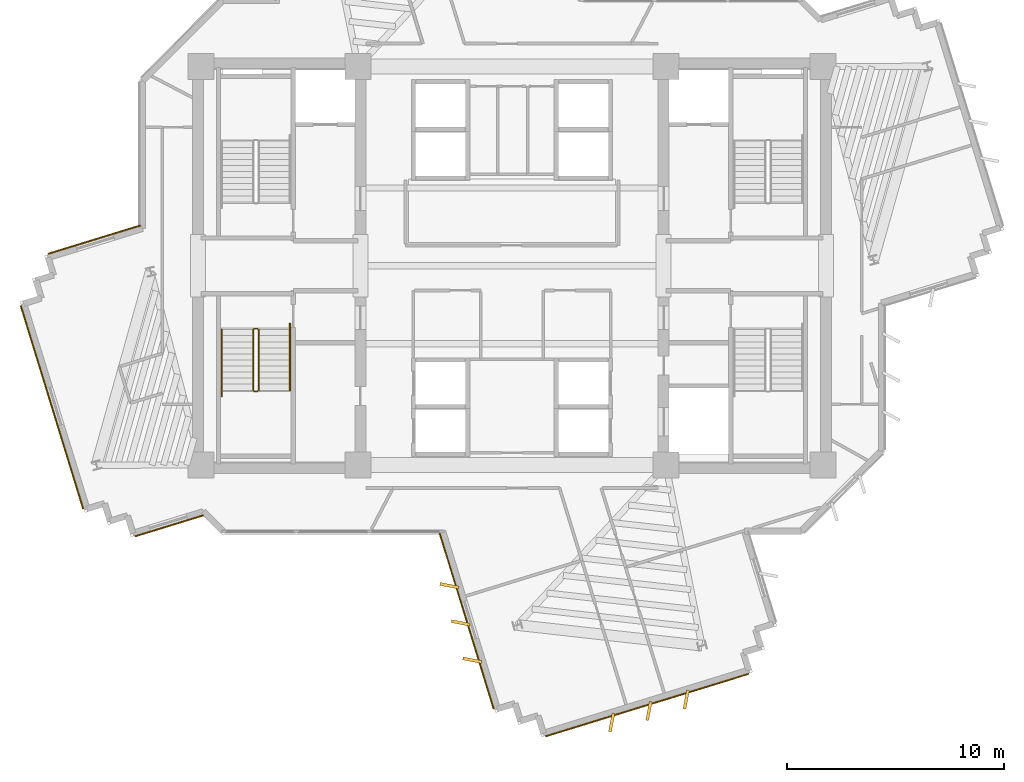
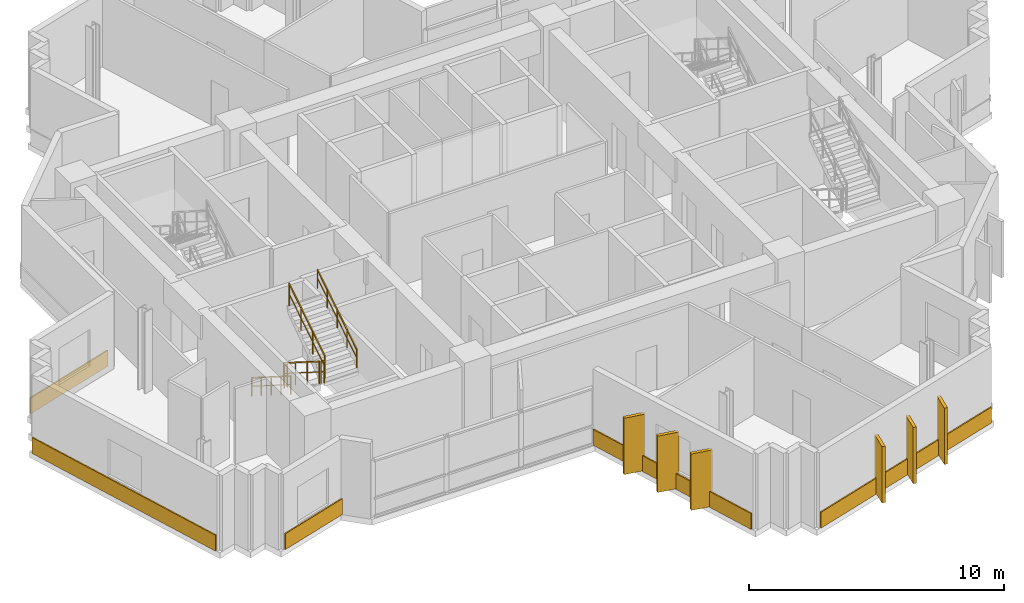
# One storey, part 10 of 13: 11 coverings, 6 railings.
"""IFC4 building model written with IfcOpenShell, lengths in metres."""

from ifc_helpers import new_model, si_unit, direction, frame, origin, origin_2d, place, context, subcontext, project, spatial, rectangle, extrude, source, transform, mapped, material, layer, layer_set, type_object, element, save


model = new_model("IFC4")

# Units and contexts
model_context = context("Model", 3, precision=1e-05, world=origin(), true_north=direction((0.0, 1.0)))
body_context = subcontext(model_context, "Body", "Model", "MODEL_VIEW")
ifc_project = project(units=[si_unit("LENGTHUNIT", "METRE"), si_unit("AREAUNIT", "SQUARE_METRE"), si_unit("VOLUMEUNIT", "CUBIC_METRE"), si_unit("PLANEANGLEUNIT", "RADIAN"), si_unit("MASSUNIT", "GRAM", prefix="KILO")], contexts=[model_context])

# Site, building, storey
site_placement = place(None, origin())
site = spatial("IfcSite", under=ifc_project, at=site_placement, CompositionType="ELEMENT")
building_placement = place(site_placement, origin())
building = spatial("IfcBuilding", under=site, at=building_placement, Name="Zahravan Cultural Tower", CompositionType="ELEMENT")
storey_placement = place(building_placement, frame((0.0, 0.0, 217.5)))
storey = spatial("IfcBuildingStorey", under=building, at=storey_placement, Name="L51", CompositionType="ELEMENT", Elevation=217.5)

# Railings
ifc_material_1 = material(Name="Steel ASTM A572 Grade 50", Category="steel")
railing_type_1 = type_object("IfcRailingType", Name="RL-STAIR-GRD1150", PredefinedType="BALUSTRADE", material=ifc_material_1)
railing_1_placement = place(storey_placement, frame((24.050048828125, 24.050048828125, 0.17724609375)))
element("IfcRailing", 1, at=railing_1_placement, inside=storey, type_object=railing_type_1, Name="L51 ST-W2 stair guard 1", PredefinedType="BALUSTRADE", context=body_context, shape_type="SweptSolid", body=[
    extrude(rectangle(XDim=0.05, YDim=0.05, at=origin_2d()), frame((0.0, 0.0, 1.0751953125), z_axis=(0.0, -0.844908973607, 0.534910110503), x_axis=(1.0, 0.0, 0.0)), (0.0, 0.0, 1.0), 3.31396484375),
    extrude(rectangle(XDim=0.032, YDim=0.032, at=origin_2d()), frame((0.0, 0.0, 0.572021484375), z_axis=(0.0, -0.844908973607, 0.534910110503), x_axis=(1.0, 0.0, 0.0)), (0.0, 0.0, 1.0), 3.31396484375),
    extrude(rectangle(XDim=0.04, YDim=0.04, at=origin_2d()), origin(), (0.0, 0.0, 1.0), 1.10009765625),
    extrude(rectangle(XDim=0.04, YDim=0.04, at=origin_2d()), frame((0.0, -0.933349609375, 0.5908203125)), (0.0, 0.0, 1.0), 1.10009765625),
    extrude(rectangle(XDim=0.04, YDim=0.04, at=origin_2d()), frame((0.0, -1.86669921875, 1.181884765625)), (0.0, 0.0, 1.0), 1.10009765625),
    extrude(rectangle(XDim=0.04, YDim=0.04, at=origin_2d()), frame((0.0, -2.800048828125, 1.772705078125)), (0.0, 0.0, 1.0), 1.10009765625),
])
railing_2_placement = place(storey_placement, frame((24.10009765625, 21.199951171875, 1.949951171875)))
element("IfcRailing", 2, at=railing_2_placement, inside=storey, type_object=railing_type_1, Name="L51 ST-W2 stair guard 2", PredefinedType="BALUSTRADE", context=body_context, shape_type="SweptSolid", body=[
    extrude(rectangle(XDim=0.05, YDim=0.05, at=origin_2d()), frame((0.0, 0.0, 1.0751953125), z_axis=(1.0, 0.0, 0.0), x_axis=(0.0, 1.0, 0.0)), (0.0, 0.0, 1.0), 0.14990234375),
    extrude(rectangle(XDim=0.032, YDim=0.032, at=origin_2d()), frame((0.0, 0.0, 0.572021484375), z_axis=(1.0, 0.0, 0.0), x_axis=(0.0, 1.0, 0.0)), (0.0, 0.0, 1.0), 0.14990234375),
    extrude(rectangle(XDim=0.04, YDim=0.04, at=origin_2d()), origin(), (0.0, 0.0, 1.0), 1.10009765625),
    extrude(rectangle(XDim=0.04, YDim=0.04, at=origin_2d()), frame((0.14990234375, 0.0, 0.0)), (0.0, 0.0, 1.0), 1.10009765625),
])
railing_3_placement = place(storey_placement, frame((24.300048828125, 21.25, 2.127197265625)))
element("IfcRailing", 3, at=railing_3_placement, inside=storey, type_object=railing_type_1, Name="L51 ST-W2 stair guard 3", PredefinedType="BALUSTRADE", context=body_context, shape_type="SweptSolid", body=[
    extrude(rectangle(XDim=0.05, YDim=0.05, at=origin_2d()), frame((0.0, 0.0, 1.0751953125), z_axis=(0.0, 0.844908973607, 0.534910110503), x_axis=(-1.0, 0.0, 0.0)), (0.0, 0.0, 1.0), 3.31396484375),
    extrude(rectangle(XDim=0.032, YDim=0.032, at=origin_2d()), frame((0.0, 0.0, 0.572021484375), z_axis=(0.0, 0.844908973607, 0.534910110503), x_axis=(-1.0, 0.0, 0.0)), (0.0, 0.0, 1.0), 3.31396484375),
    extrude(rectangle(XDim=0.04, YDim=0.04, at=origin_2d()), origin(), (0.0, 0.0, 1.0), 1.10009765625),
    extrude(rectangle(XDim=0.04, YDim=0.04, at=origin_2d()), frame((0.0, 0.933349609375, 0.5908203125)), (0.0, 0.0, 1.0), 1.10009765625),
    extrude(rectangle(XDim=0.04, YDim=0.04, at=origin_2d()), frame((0.0, 1.86669921875, 1.181884765625)), (0.0, 0.0, 1.0), 1.10009765625),
    extrude(rectangle(XDim=0.04, YDim=0.04, at=origin_2d()), frame((0.0, 2.800048828125, 1.772705078125)), (0.0, 0.0, 1.0), 1.10009765625),
])
railing_4_placement = place(storey_placement, frame((24.10009765625, 24.10009765625, 0.0)))
element("IfcRailing", 4, at=railing_4_placement, inside=storey, type_object=railing_type_1, Name="L51 ST-W2 stair guard 4", PredefinedType="BALUSTRADE", context=body_context, shape_type="SweptSolid", body=[
    extrude(rectangle(XDim=0.05, YDim=0.05, at=origin_2d()), frame((0.0, 0.0, 1.0751953125), z_axis=(1.0, 0.0, 0.0), x_axis=(0.0, 1.0, 0.0)), (0.0, 0.0, 1.0), 0.14990234375),
    extrude(rectangle(XDim=0.032, YDim=0.032, at=origin_2d()), frame((0.0, 0.0, 0.572021484375), z_axis=(1.0, 0.0, 0.0), x_axis=(0.0, 1.0, 0.0)), (0.0, 0.0, 1.0), 0.14990234375),
    extrude(rectangle(XDim=0.04, YDim=0.04, at=origin_2d()), origin(), (0.0, 0.0, 1.0), 1.10009765625),
    extrude(rectangle(XDim=0.04, YDim=0.04, at=origin_2d()), frame((0.14990234375, 0.0, 0.0)), (0.0, 0.0, 1.0), 1.10009765625),
])
railing_type_2 = type_object("IfcRailingType", Name="RL-STAIR-HR900", PredefinedType="HANDRAIL", material=ifc_material_1)
railing_5_placement = place(storey_placement, frame((22.60009765625, 24.050048828125, 0.17724609375)))
element("IfcRailing", 5, at=railing_5_placement, inside=storey, type_object=railing_type_2, Name="L51 ST-W2 stair handrail 1", PredefinedType="HANDRAIL", context=body_context, shape_type="SweptSolid", body=[
    extrude(rectangle(XDim=0.05, YDim=0.05, at=origin_2d()), frame((0.0, 0.0, 0.875), z_axis=(0.0, -0.844913916606, 0.534902302785), x_axis=(1.0, 0.0, 0.0)), (0.0, 0.0, 1.0), 3.6455078125),
    extrude(rectangle(XDim=0.032, YDim=0.032, at=origin_2d()), frame((0.0, 0.0, 0.468017578125), z_axis=(0.0, -0.844913916606, 0.534902302785), x_axis=(1.0, 0.0, 0.0)), (0.0, 0.0, 1.0), 3.6455078125),
    extrude(rectangle(XDim=0.04, YDim=0.04, at=origin_2d()), origin(), (0.0, 0.0, 1.0), 0.89990234375),
    extrude(rectangle(XDim=0.04, YDim=0.04, at=origin_2d()), frame((0.0, -0.77001953125, 0.487548828125)), (0.0, 0.0, 1.0), 0.89990234375),
    extrude(rectangle(XDim=0.04, YDim=0.04, at=origin_2d()), frame((0.0, -1.5400390625, 0.97509765625)), (0.0, 0.0, 1.0), 0.89990234375),
    extrude(rectangle(XDim=0.04, YDim=0.04, at=origin_2d()), frame((0.0, -2.31005859375, 1.46240234375)), (0.0, 0.0, 1.0), 0.89990234375),
    extrude(rectangle(XDim=0.04, YDim=0.04, at=origin_2d()), frame((0.0, -3.080078125, 1.949951171875)), (0.0, 0.0, 1.0), 0.89990234375),
])
railing_6_placement = place(storey_placement, frame((25.75, 21.25, 2.127197265625)))
element("IfcRailing", 6, at=railing_6_placement, inside=storey, type_object=railing_type_2, Name="L51 ST-W2 stair handrail 2", PredefinedType="HANDRAIL", context=body_context, shape_type="SweptSolid", body=[
    extrude(rectangle(XDim=0.05, YDim=0.05, at=origin_2d()), frame((0.0, 0.0, 0.875), z_axis=(0.0, 0.844883648757, 0.534950109882), x_axis=(-1.0, 0.0, 0.0)), (0.0, 0.0, 1.0), 3.6455078125),
    extrude(rectangle(XDim=0.032, YDim=0.032, at=origin_2d()), frame((0.0, 0.0, 0.468017578125), z_axis=(0.0, 0.844883648757, 0.534950109882), x_axis=(-1.0, 0.0, 0.0)), (0.0, 0.0, 1.0), 3.6455078125),
    extrude(rectangle(XDim=0.04, YDim=0.04, at=origin_2d()), origin(), (0.0, 0.0, 1.0), 0.89990234375),
    extrude(rectangle(XDim=0.04, YDim=0.04, at=origin_2d()), frame((0.0, 0.77001953125, 0.487548828125)), (0.0, 0.0, 1.0), 0.89990234375),
    extrude(rectangle(XDim=0.04, YDim=0.04, at=origin_2d()), frame((0.0, 1.5400390625, 0.97509765625)), (0.0, 0.0, 1.0), 0.89990234375),
    extrude(rectangle(XDim=0.04, YDim=0.04, at=origin_2d()), frame((0.0, 2.31005859375, 1.462646484375)), (0.0, 0.0, 1.0), 0.89990234375),
    extrude(rectangle(XDim=0.04, YDim=0.04, at=origin_2d()), frame((0.0, 3.080078125, 1.9501953125)), (0.0, 0.0, 1.0), 0.89990234375),
])

# Coverings
ifc_material_2 = material(Name="Terracotta ceramic cladding", Category="masonry")
ifc_layer = layer(ifc_material_2, 0.06005859375)
ifc_layer_set = layer_set([ifc_layer], Name="Terracotta ceramic cladding")
covering_type = type_object("IfcCoveringType", Name="COV-CLAD-TC60", PredefinedType="CLADDING", material=ifc_layer_set)
shared_shape_1 = source(origin(), body_context, "Body", "SweptSolid", [
    extrude(rectangle(XDim=9.820068359375, YDim=0.06005859375, at=origin_2d()), origin(), (0.0, 0.0, 1.0), 0.760009765625),
])
covering_1_placement = place(storey_placement, frame((42.240966796875, 6.71337890625, 0.02001953125), z_axis=(0.0, 0.0, 1.0), x_axis=(-0.955793014798, -0.294040325232, 0.0)))
element("IfcCovering", 7, at=covering_1_placement, inside=storey, type_object=covering_type, Name="L51 Terracotta Spandrel Cladding 20", PredefinedType="CLADDING", context=body_context, shape_type="MappedRepresentation", body=[
    mapped(shared_shape_1, transform((0.0, 0.0, 0.0), x_axis=(1.0, 0.0, 0.0), y_axis=(0.0, 1.0, 0.0), z_axis=(0.0, 0.0, 1.0), scale=1.0)),
])
shared_shape_2 = source(origin(), body_context, "Body", "SweptSolid", [
    extrude(rectangle(XDim=0.8798828125, YDim=0.139892578125, at=origin_2d()), origin(), (0.0, 0.0, 1.0), 2.699951171875),
])
for number, where, z_axis, x_axis, name in (
    (8, (44.045166015625, 6.97021484375, 0.0498046875), (0.0, 0.0, 1.0), (-0.18909544299, -0.981958712696, 0.0), "L51 Herringbone Terracotta Fin 11"),
    (9, (42.32470703125, 6.44091796875, 0.0498046875), (0.0, 0.0, 1.0), (-0.18909544299, -0.981958712696, 0.0), "L51 Herringbone Terracotta Fin 12"),
    (10, (40.604248046875, 5.91162109375, 0.0498046875), (0.0, 0.0, 1.0), (-0.18909544299, -0.981958712696, 0.0), "L51 Herringbone Terracotta Fin 13"),
    (11, (34.16455078125, 8.7861328125, 0.0498046875), (0.0, 0.0, 1.0), (-0.981958712696, 0.18909544299, 0.0), "L51 Herringbone Terracotta Fin 14"),
    (12, (33.63525390625, 10.506591796875, 0.0498046875), (0.0, 0.0, 1.0), (-0.981958712696, 0.18909544299, 0.0), "L51 Herringbone Terracotta Fin 15"),
    (13, (33.10595703125, 12.226806640625, 0.0498046875), (0.0, 0.0, 1.0), (-0.981958712696, 0.18909544299, 0.0), "L51 Herringbone Terracotta Fin 16"),
):
    element("IfcCovering", number, at=place(storey_placement, frame(where, z_axis=z_axis, x_axis=x_axis)), inside=storey, type_object=covering_type, Name=name, PredefinedType="CLADDING", context=body_context, shape_type="MappedRepresentation", body=[
        mapped(shared_shape_2, transform((0.0, 0.0, 0.0), x_axis=(1.0, 0.0, 0.0), y_axis=(0.0, 1.0, 0.0), z_axis=(0.0, 0.0, 1.0), scale=1.0)),
    ])
shared_shape_3 = source(origin(), body_context, "Body", "SweptSolid", [
    extrude(rectangle(XDim=9.81982421875, YDim=0.06005859375, at=origin_2d()), origin(), (0.0, 0.0, 1.0), 0.760009765625),
])
covering_2_placement = place(storey_placement, frame((14.757568359375, 20.465087890625, 0.02001953125), z_axis=(0.0, 0.0, 1.0), x_axis=(-0.294040325232, 0.955793014798, 0.0)))
element("IfcCovering", 14, at=covering_2_placement, inside=storey, type_object=covering_type, Name="L51 Terracotta Spandrel Cladding 32", PredefinedType="CLADDING", context=body_context, shape_type="MappedRepresentation", body=[
    mapped(shared_shape_3, transform((0.0, 0.0, 0.0), x_axis=(1.0, 0.0, 0.0), y_axis=(0.0, 1.0, 0.0), z_axis=(0.0, 0.0, 1.0), scale=1.0)),
])
shared_shape_4 = source(origin(), body_context, "Body", "SweptSolid", [
    extrude(rectangle(XDim=3.302001953125, YDim=0.06005859375, at=origin_2d()), origin(), (0.0, 0.0, 1.0), 0.760009765625),
])
covering_3_placement = place(storey_placement, frame((20.172607421875, 14.990234375, 0.02001953125), z_axis=(0.0, 0.0, 1.0), x_axis=(-0.955793014798, -0.294040325232, 0.0)))
element("IfcCovering", 15, at=covering_3_placement, inside=storey, type_object=covering_type, Name="L51 Terracotta Spandrel Cladding 27", PredefinedType="CLADDING", context=body_context, shape_type="MappedRepresentation", body=[
    mapped(shared_shape_4, transform((0.0, 0.0, 0.0), x_axis=(1.0, 0.0, 0.0), y_axis=(0.0, 1.0, 0.0), z_axis=(0.0, 0.0, 1.0), scale=1.0)),
])
shared_shape_5 = source(origin(), body_context, "Body", "SweptSolid", [
    extrude(rectangle(XDim=4.459716796875, YDim=0.06005859375, at=origin_2d()), origin(), (0.0, 0.0, 1.0), 0.760009765625),
])
covering_4_placement = place(storey_placement, frame((16.71240234375, 28.20703125, 0.02001953125), z_axis=(0.0, 0.0, 1.0), x_axis=(0.955798146625, 0.294023643452, 0.0)))
element("IfcCovering", 16, at=covering_4_placement, inside=storey, type_object=covering_type, Name="L51 Terracotta Spandrel Cladding 37", PredefinedType="CLADDING", context=body_context, shape_type="MappedRepresentation", body=[
    mapped(shared_shape_5, transform((0.0, 0.0, 0.0), x_axis=(1.0, 0.0, 0.0), y_axis=(0.0, 1.0, 0.0), z_axis=(0.0, 0.0, 1.0), scale=1.0)),
])
shared_shape_6 = source(origin(), body_context, "Body", "SweptSolid", [
    extrude(rectangle(XDim=8.481689453125, YDim=0.06005859375, at=origin_2d()), origin(), (0.0, 0.0, 1.0), 0.760009765625),
])
covering_5_placement = place(storey_placement, frame((33.90771484375, 10.59033203125, 0.02001953125), z_axis=(0.0, 0.0, 1.0), x_axis=(-0.294040325232, 0.955793014798, 0.0)))
element("IfcCovering", 17, at=covering_5_placement, inside=storey, type_object=covering_type, Name="L51 Terracotta Spandrel Cladding 25", PredefinedType="CLADDING", context=body_context, shape_type="MappedRepresentation", body=[
    mapped(shared_shape_6, transform((0.0, 0.0, 0.0), x_axis=(1.0, 0.0, 0.0), y_axis=(0.0, 1.0, 0.0), z_axis=(0.0, 0.0, 1.0), scale=1.0)),
])

save(model, "model.ifc")
